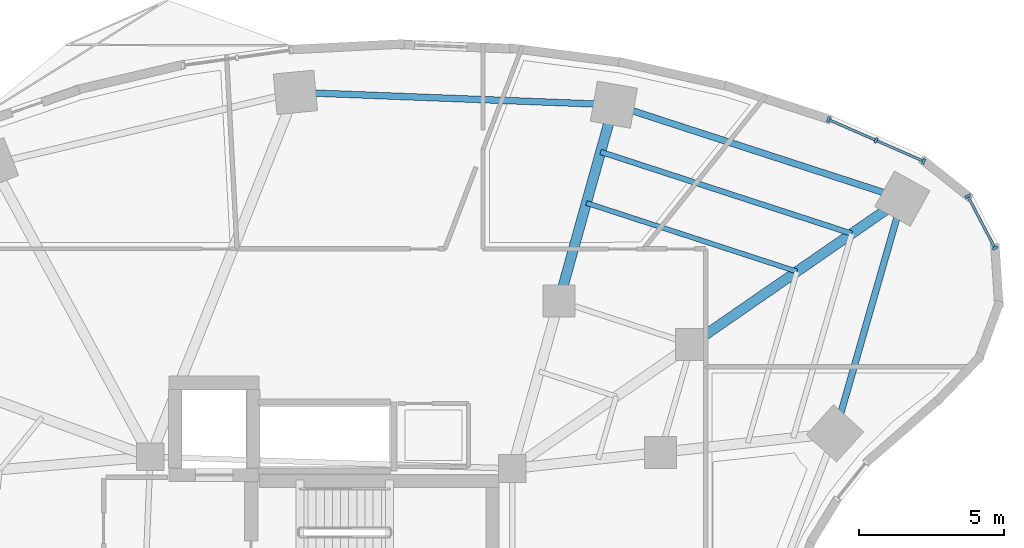
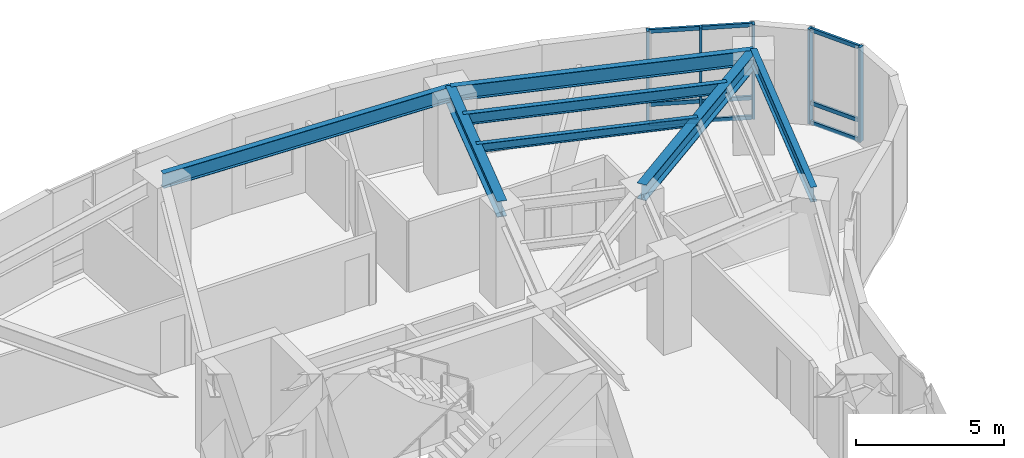
# One storey, part 6 of 14: 14 members, 7 beams, 2 elements without a shape of their own.
"""IFC4 building model written with IfcOpenShell, lengths in metres."""

from ifc_helpers import new_model, si_unit, direction, frame, origin, origin_2d, place, context, subcontext, project, spatial, rectangle, i_section, extrude, material, layer, layer_set, material_profile, profile_set, type_object, element, aggregate, save


model = new_model("IFC4")

# Units and contexts
model_context = context("Model", 3, precision=1e-05, world=origin(), true_north=direction((0.0, 1.0)))
body_context = subcontext(model_context, "Body", "Model", "MODEL_VIEW")
ifc_project = project(units=[si_unit("LENGTHUNIT", "METRE"), si_unit("AREAUNIT", "SQUARE_METRE"), si_unit("VOLUMEUNIT", "CUBIC_METRE"), si_unit("PLANEANGLEUNIT", "RADIAN"), si_unit("MASSUNIT", "GRAM", prefix="KILO")], contexts=[model_context])

# Site, building, storey
site_placement = place(None, origin())
site = spatial("IfcSite", under=ifc_project, at=site_placement, CompositionType="ELEMENT")
building_placement = place(site_placement, origin())
building = spatial("IfcBuilding", under=site, at=building_placement, Name="Korentha Bioscience Tower", CompositionType="ELEMENT")
storey_placement = place(building_placement, frame((0.0, 0.0, 51.0)))
storey = spatial("IfcBuildingStorey", under=building, at=storey_placement, Name="L11", CompositionType="ELEMENT", Elevation=51.0)

# Curtain wall, members
ifc_material_1 = material(Name="Thermally Broken Aluminium Frame", Category="aluminium")
ifc_layer = layer(ifc_material_1, 0.219970703125, Name="Thermally Broken Aluminium Frame")
ifc_layer_set = layer_set([ifc_layer], Name="Thermally Broken Aluminium Frame (CW-T1)")
curtain_wall_type = type_object("IfcCurtainWallType", Name="Standard Bioscience Lab Unitised Curtain Wall CW-T1", PredefinedType="USERDEFINED", material=ifc_layer_set)
curtain_wall_1_placement = place(storey_placement, origin())
curtain_wall_1 = element("IfcCurtainWall", 1, at=curtain_wall_1_placement, inside=storey, type_object=curtain_wall_type, Name="L11 Curtain Wall 01", ObjectType="UNITISED", PredefinedType="USERDEFINED")
ifc_material_2 = material(Name="Anodised Aluminium 6063-T6", Category="aluminium")
ifc_material_profile_1 = material_profile(ifc_material_2, rectangle(XDim=0.090087890625, YDim=0.199951171875, at=origin_2d()), Name="Anodised Aluminium 6063-T6")
ifc_profile_set_1 = profile_set([ifc_material_profile_1], Name="Anodised Aluminium 6063-T6 (CW-MUL)")
member_type_1 = type_object("IfcMemberType", Name="Mullion RECT 90x200", PredefinedType="MULLION", material=ifc_profile_set_1)
member_1_placement = place(storey_placement, frame((51.71337890625, 46.420654296875, 0.0), z_axis=(0.0, 0.0, 1.0), x_axis=(-0.91593909057, 0.401317308828, 0.0)))
member_1 = element("IfcMember", 2, at=member_1_placement, type_object=member_type_1, Name="CW-L11-01 Mullion 1", PredefinedType="MULLION", context=body_context, shape_type="SweptSolid", body=[
    extrude(rectangle(XDim=0.090087890625, YDim=0.199951171875, at=origin_2d()), origin(), (0.0, 0.0, 1.0), 3.89990234375),
])
member_2_placement = place(storey_placement, frame((50.072998046875, 47.139404296875, 0.0), z_axis=(0.0, 0.0, 1.0), x_axis=(-0.91593909057, 0.401317308828, 0.0)))
member_2 = element("IfcMember", 3, at=member_2_placement, type_object=member_type_1, Name="CW-L11-01 Mullion 2", PredefinedType="MULLION", context=body_context, shape_type="SweptSolid", body=[
    extrude(rectangle(XDim=0.090087890625, YDim=0.199951171875, at=origin_2d()), origin(), (0.0, 0.0, 1.0), 3.89990234375),
])
member_3_placement = place(storey_placement, frame((48.43212890625, 47.8583984375, 0.0), z_axis=(0.0, 0.0, 1.0), x_axis=(-0.91593909057, 0.401317308828, 0.0)))
member_3 = element("IfcMember", 4, at=member_3_placement, type_object=member_type_1, Name="CW-L11-01 Mullion 3", PredefinedType="MULLION", context=body_context, shape_type="SweptSolid", body=[
    extrude(rectangle(XDim=0.090087890625, YDim=0.199951171875, at=origin_2d()), origin(), (0.0, 0.0, 1.0), 3.89990234375),
])

curtain_wall_2_placement = place(storey_placement, origin())
curtain_wall_2 = element("IfcCurtainWall", 5, at=curtain_wall_2_placement, inside=storey, type_object=curtain_wall_type, Name="L11 Curtain Wall 61", ObjectType="UNITISED", PredefinedType="USERDEFINED")
member_4_placement = place(storey_placement, frame((54.163330078125, 43.435302734375, 0.0), z_axis=(0.0, 0.0, 1.0), x_axis=(-0.463008597697, 0.886353788539, 0.0)))
member_4 = element("IfcMember", 6, at=member_4_placement, type_object=member_type_1, Name="CW-L11-61 Mullion 1", PredefinedType="MULLION", context=body_context, shape_type="SweptSolid", body=[
    extrude(rectangle(XDim=0.090087890625, YDim=0.199951171875, at=origin_2d()), origin(), (0.0, 0.0, 1.0), 3.89990234375),
])
member_5_placement = place(storey_placement, frame((53.22900390625, 45.2236328125, 0.0), z_axis=(0.0, 0.0, 1.0), x_axis=(-0.463008597697, 0.886353788539, 0.0)))
member_5 = element("IfcMember", 7, at=member_5_placement, type_object=member_type_1, Name="CW-L11-61 Mullion 2", PredefinedType="MULLION", context=body_context, shape_type="SweptSolid", body=[
    extrude(rectangle(XDim=0.090087890625, YDim=0.199951171875, at=origin_2d()), origin(), (0.0, 0.0, 1.0), 3.89990234375),
])

# Beams
ifc_material_3 = material(Name="Steel S355", Category="steel")
ifc_material_profile_2 = material_profile(ifc_material_3, i_section(OverallWidth=0.22802734375, OverallDepth=0.60791015625, WebThickness=0.01123046875, FlangeThickness=0.017333984375, at=origin_2d()), Name="Steel S355")
ifc_profile_set_2 = profile_set([ifc_material_profile_2], Name="Steel S355 (SB-610)")
beam_type_1 = type_object("IfcBeamType", Name="Perimeter Ring Spandrel Girder W610x113", PredefinedType="SPANDREL", material=ifc_profile_set_2)
beam_1_placement = place(storey_placement, frame((50.977294921875, 45.135498046875, 3.595947265625), z_axis=(-0.95087511444, 0.309574735305, 0.0), x_axis=(-0.309574735305, -0.95087511444, 0.0)))
element("IfcBeam", 8, at=beam_1_placement, inside=storey, type_object=beam_type_1, Name="L11 Perimeter Spandrel Girder 01", PredefinedType="SPANDREL", context=body_context, shape_type="SweptSolid", body=[
    extrude(i_section(OverallWidth=0.22802734375, OverallDepth=0.60791015625, WebThickness=0.01123046875, FlangeThickness=0.017333984375, at=origin_2d()), origin(), (0.0, 0.0, 1.0), 10.4375),
])
beam_2_placement = place(storey_placement, frame((41.052490234375, 48.36669921875, 3.595947265625), z_axis=(-0.999246003889, 0.03882555488, 0.0), x_axis=(-0.03882555488, -0.999246003889, 0.0)))
element("IfcBeam", 9, at=beam_2_placement, inside=storey, type_object=beam_type_1, Name="L11 Perimeter Spandrel Girder 02", PredefinedType="SPANDREL", context=body_context, shape_type="SweptSolid", body=[
    extrude(i_section(OverallWidth=0.22802734375, OverallDepth=0.60791015625, WebThickness=0.01123046875, FlangeThickness=0.017333984375, at=origin_2d()), origin(), (0.0, 0.0, 1.0), 10.966552734375),
])
beam_3_placement = place(storey_placement, frame((48.661865234375, 37.060791015625, 3.595947265625), z_axis=(0.275642273411, 0.961260285827, 0.0), x_axis=(-0.961260285827, 0.275642273411, 0.0)))
element("IfcBeam", 10, at=beam_3_placement, inside=storey, type_object=beam_type_1, Name="L11 Perimeter Spandrel Girder 16", PredefinedType="SPANDREL", context=body_context, shape_type="SweptSolid", body=[
    extrude(i_section(OverallWidth=0.22802734375, OverallDepth=0.60791015625, WebThickness=0.01123046875, FlangeThickness=0.017333984375, at=origin_2d()), origin(), (0.0, 0.0, 1.0), 8.400146484375),
])
ifc_material_profile_3 = material_profile(ifc_material_3, i_section(OverallWidth=0.18994140625, OverallDepth=0.45703125, WebThickness=0.009033203125, FlangeThickness=0.014404296875, at=origin_2d()), Name="Steel S355")
ifc_profile_set_3 = profile_set([ifc_material_profile_3], Name="Steel S355 (RB-460)")
beam_type_2 = type_object("IfcBeamType", Name="Radial Laboratory Beam W460x74", PredefinedType="BEAM", material=ifc_profile_set_3)
beam_4_placement = place(storey_placement, frame((49.2373046875, 43.931884765625, 3.67138671875), z_axis=(-0.95087437499, 0.309577006554, 0.0), x_axis=(-0.309577006554, -0.95087437499, 0.0)))
element("IfcBeam", 11, at=beam_4_placement, inside=storey, type_object=beam_type_2, Name="L11 Secondary Floor Beam JSTO-01", PredefinedType="BEAM", context=body_context, shape_type="SweptSolid", body=[
    extrude(i_section(OverallWidth=0.18994140625, OverallDepth=0.45703125, WebThickness=0.009033203125, FlangeThickness=0.014404296875, at=origin_2d()), origin(), (0.0, 0.0, 1.0), 9.0849609375),
])
ifc_material_profile_4 = material_profile(ifc_material_3, i_section(OverallWidth=0.35009765625, OverallDepth=0.64990234375, WebThickness=0.01611328125, FlangeThickness=0.02490234375, at=origin_2d()), Name="Steel S355")
ifc_profile_set_4 = profile_set([ifc_material_profile_4], Name="Steel S355 (RB-650)")
beam_type_3 = type_object("IfcBeamType", Name="Radial Laboratory Girder CVS 650x208", PredefinedType="BEAM", material=ifc_profile_set_4)
beam_5_placement = place(storey_placement, frame((43.7265625, 40.121337890625, 3.574951171875), z_axis=(0.822488186113, 0.568782193555, 0.0), x_axis=(-0.568782193555, 0.822488186113, 0.0)))
element("IfcBeam", 12, at=beam_5_placement, inside=storey, type_object=beam_type_3, Name="L11 Outer Radial Girder 01", PredefinedType="BEAM", context=body_context, shape_type="SweptSolid", body=[
    extrude(i_section(OverallWidth=0.35009765625, OverallDepth=0.64990234375, WebThickness=0.01611328125, FlangeThickness=0.02490234375, at=origin_2d()), origin(), (0.0, 0.0, 1.0), 8.815673828125),
])
beam_6_placement = place(storey_placement, frame((39.1611328125, 41.607666015625, 3.574951171875), z_axis=(0.269475095129, 0.963007358801, 0.0), x_axis=(-0.963007358801, 0.269475095129, 0.0)))
element("IfcBeam", 13, at=beam_6_placement, inside=storey, type_object=beam_type_3, Name="L11 Outer Radial Girder 02", PredefinedType="BEAM", context=body_context, shape_type="SweptSolid", body=[
    extrude(i_section(OverallWidth=0.35009765625, OverallDepth=0.64990234375, WebThickness=0.01611328125, FlangeThickness=0.02490234375, at=origin_2d()), origin(), (0.0, 0.0, 1.0), 7.0185546875),
])
ifc_material_profile_5 = material_profile(ifc_material_3, i_section(OverallWidth=0.1708984375, OverallDepth=0.35498046875, WebThickness=0.007080078125, FlangeThickness=0.01171875, at=origin_2d()), Name="Steel S355")
ifc_profile_set_5 = profile_set([ifc_material_profile_5], Name="Steel S355 (JB-360)")
beam_type_4 = type_object("IfcBeamType", Name="Secondary Laboratory Joist W360x51", PredefinedType="JOIST", material=ifc_profile_set_5)
beam_7_placement = place(storey_placement, frame((47.35205078125, 42.62841796875, 3.722412109375), z_axis=(-0.950870992772, 0.309587394938, 0.0), x_axis=(-0.309587394938, -0.950870992772, 0.0)))
element("IfcBeam", 14, at=beam_7_placement, inside=storey, type_object=beam_type_4, Name="L11 Secondary Floor Beam JST-01", PredefinedType="JOIST", context=body_context, shape_type="SweptSolid", body=[
    extrude(i_section(OverallWidth=0.1708984375, OverallDepth=0.35498046875, WebThickness=0.007080078125, FlangeThickness=0.01171875, at=origin_2d()), origin(), (0.0, 0.0, 1.0), 7.619384765625),
])

# Member
ifc_material_profile_6 = material_profile(ifc_material_2, rectangle(XDim=0.090087890625, YDim=0.159912109375, at=origin_2d()), Name="Anodised Aluminium 6063-T6")
ifc_profile_set_6 = profile_set([ifc_material_profile_6], Name="Anodised Aluminium 6063-T6 (CW-TRN)")
member_type_2 = type_object("IfcMemberType", Name="Transom RECT 90x160", PredefinedType="USERDEFINED", material=ifc_profile_set_6)
member_6_placement = place(storey_placement, frame((51.67236328125, 46.438720703125, 0.044921875), z_axis=(-0.915976098914, 0.401232832926, 0.0), x_axis=(-0.401232832926, -0.915976098914, 0.0)))
member_6 = element("IfcMember", 15, at=member_6_placement, type_object=member_type_2, Name="CW-L11-01 Bay 1 Transom 1", ObjectType="TRANSOM", PredefinedType="USERDEFINED", context=body_context, shape_type="SweptSolid", body=[
    extrude(rectangle(XDim=0.090087890625, YDim=0.159912109375, at=origin_2d()), origin(), (0.0, 0.0, 1.0), 1.701416015625),
])

member_7_placement = place(storey_placement, frame((51.67236328125, 46.438720703125, 0.85009765625), z_axis=(-0.915976098914, 0.401232832926, 0.0), x_axis=(-0.401232832926, -0.915976098914, 0.0)))
member_7 = element("IfcMember", 16, at=member_7_placement, type_object=member_type_2, Name="CW-L11-01 Bay 1 Transom 2", ObjectType="TRANSOM", PredefinedType="USERDEFINED", context=body_context, shape_type="SweptSolid", body=[
    extrude(rectangle(XDim=0.090087890625, YDim=0.159912109375, at=origin_2d()), origin(), (0.0, 0.0, 1.0), 1.701416015625),
])

member_8_placement = place(storey_placement, frame((51.67236328125, 46.438720703125, 3.85498046875), z_axis=(-0.915976098914, 0.401232832926, 0.0), x_axis=(-0.401232832926, -0.915976098914, 0.0)))
member_8 = element("IfcMember", 17, at=member_8_placement, type_object=member_type_2, Name="CW-L11-01 Bay 1 Transom 3", ObjectType="TRANSOM", PredefinedType="USERDEFINED", context=body_context, shape_type="SweptSolid", body=[
    extrude(rectangle(XDim=0.090087890625, YDim=0.159912109375, at=origin_2d()), origin(), (0.0, 0.0, 1.0), 1.701416015625),
])

member_9_placement = place(storey_placement, frame((50.031494140625, 47.15771484375, 0.044921875), z_axis=(-0.915952992218, 0.401285579167, 0.0), x_axis=(-0.401285579167, -0.915952992218, 0.0)))
member_9 = element("IfcMember", 18, at=member_9_placement, type_object=member_type_2, Name="CW-L11-01 Bay 2 Transom 1", ObjectType="TRANSOM", PredefinedType="USERDEFINED", context=body_context, shape_type="SweptSolid", body=[
    extrude(rectangle(XDim=0.090087890625, YDim=0.159912109375, at=origin_2d()), origin(), (0.0, 0.0, 1.0), 1.701171875),
])

member_10_placement = place(storey_placement, frame((50.031494140625, 47.15771484375, 0.85009765625), z_axis=(-0.915952992218, 0.401285579167, 0.0), x_axis=(-0.401285579167, -0.915952992218, 0.0)))
member_10 = element("IfcMember", 19, at=member_10_placement, type_object=member_type_2, Name="CW-L11-01 Bay 2 Transom 2", ObjectType="TRANSOM", PredefinedType="USERDEFINED", context=body_context, shape_type="SweptSolid", body=[
    extrude(rectangle(XDim=0.090087890625, YDim=0.159912109375, at=origin_2d()), origin(), (0.0, 0.0, 1.0), 1.701171875),
])

member_11_placement = place(storey_placement, frame((50.031494140625, 47.15771484375, 3.85498046875), z_axis=(-0.915952992218, 0.401285579167, 0.0), x_axis=(-0.401285579167, -0.915952992218, 0.0)))
member_11 = element("IfcMember", 20, at=member_11_placement, type_object=member_type_2, Name="CW-L11-01 Bay 2 Transom 3", ObjectType="TRANSOM", PredefinedType="USERDEFINED", context=body_context, shape_type="SweptSolid", body=[
    extrude(rectangle(XDim=0.090087890625, YDim=0.159912109375, at=origin_2d()), origin(), (0.0, 0.0, 1.0), 1.701171875),
])

aggregate(curtain_wall_1, [member_1, member_2, member_3, member_6, member_7, member_8, member_9, member_10, member_11])

member_12_placement = place(storey_placement, frame((54.142333984375, 43.47509765625, 0.044921875), z_axis=(-0.462899248902, 0.886410900974, 0.0), x_axis=(-0.886410900974, -0.462899248902, 0.0)))
member_12 = element("IfcMember", 21, at=member_12_placement, type_object=member_type_2, Name="CW-L11-61 Bay 1 Transom 1", ObjectType="TRANSOM", PredefinedType="USERDEFINED", context=body_context, shape_type="SweptSolid", body=[
    extrude(rectangle(XDim=0.090087890625, YDim=0.159912109375, at=origin_2d()), origin(), (0.0, 0.0, 1.0), 1.927734375),
])

member_13_placement = place(storey_placement, frame((54.142333984375, 43.47509765625, 0.85009765625), z_axis=(-0.462899248902, 0.886410900974, 0.0), x_axis=(-0.886410900974, -0.462899248902, 0.0)))
member_13 = element("IfcMember", 22, at=member_13_placement, type_object=member_type_2, Name="CW-L11-61 Bay 1 Transom 2", ObjectType="TRANSOM", PredefinedType="USERDEFINED", context=body_context, shape_type="SweptSolid", body=[
    extrude(rectangle(XDim=0.090087890625, YDim=0.159912109375, at=origin_2d()), origin(), (0.0, 0.0, 1.0), 1.927734375),
])

member_14_placement = place(storey_placement, frame((54.142333984375, 43.47509765625, 3.85498046875), z_axis=(-0.462899248902, 0.886410900974, 0.0), x_axis=(-0.886410900974, -0.462899248902, 0.0)))
member_14 = element("IfcMember", 23, at=member_14_placement, type_object=member_type_2, Name="CW-L11-61 Bay 1 Transom 3", ObjectType="TRANSOM", PredefinedType="USERDEFINED", context=body_context, shape_type="SweptSolid", body=[
    extrude(rectangle(XDim=0.090087890625, YDim=0.159912109375, at=origin_2d()), origin(), (0.0, 0.0, 1.0), 1.927734375),
])

aggregate(curtain_wall_2, [member_4, member_5, member_12, member_13, member_14])

save(model, "model.ifc")
